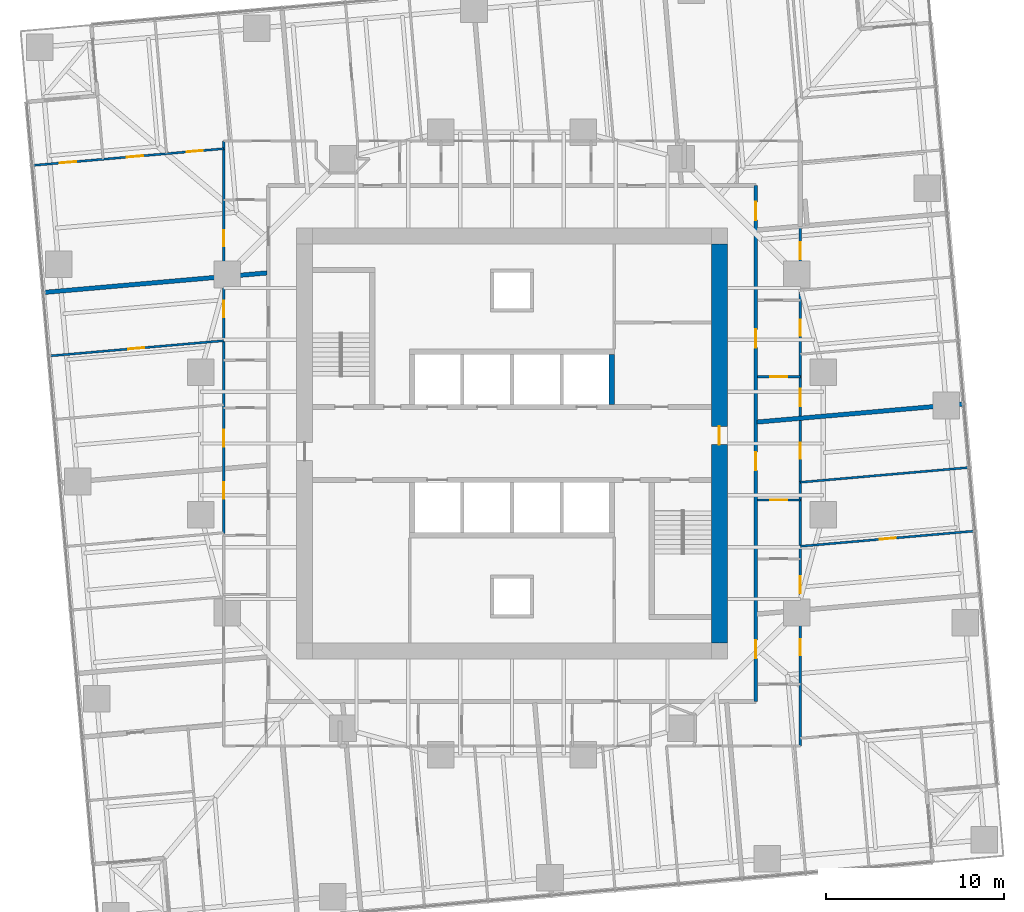
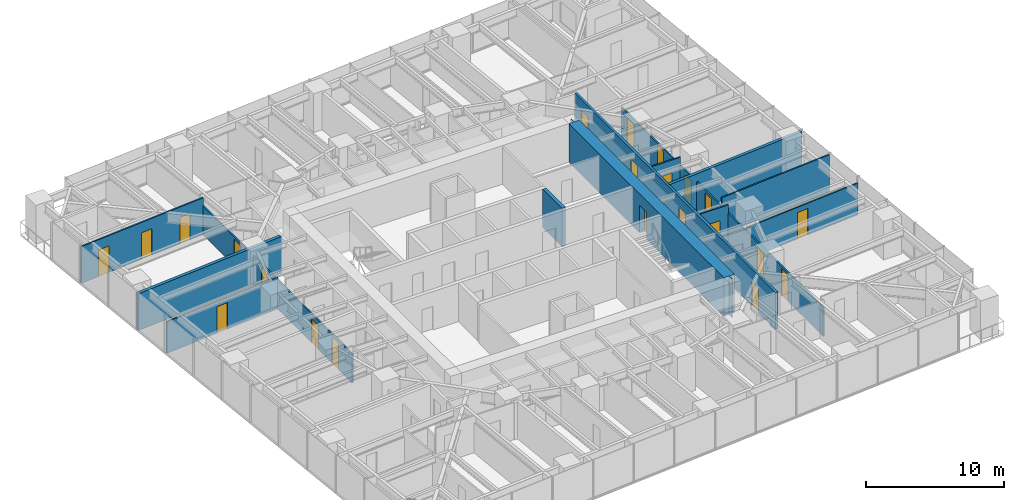
# One storey, part 11 of 14: 22 doors, 13 walls, 22 openings.
"""IFC4 building model written with IfcOpenShell, lengths in metres."""

from ifc_helpers import new_model, si_unit, direction, frame, frame_2d, origin, place, context, subcontext, project, spatial, polyline, rectangle, outline, extrude, material, layer, layer_set, type_object, element, fill, save


model = new_model("IFC4")

# Units and contexts
model_context = context("Model", 3, precision=1e-05, world=origin(), true_north=direction((0.0, 1.0)))
body_context = subcontext(model_context, "Body", "Model", "MODEL_VIEW")
ifc_project = project(units=[si_unit("LENGTHUNIT", "METRE"), si_unit("AREAUNIT", "SQUARE_METRE"), si_unit("VOLUMEUNIT", "CUBIC_METRE"), si_unit("PLANEANGLEUNIT", "RADIAN"), si_unit("MASSUNIT", "GRAM", prefix="KILO")], contexts=[model_context])

# Site, building, storey
site_placement = place(None, origin())
site = spatial("IfcSite", under=ifc_project, at=site_placement, CompositionType="ELEMENT")
building_placement = place(site_placement, origin())
building = spatial("IfcBuilding", under=site, at=building_placement, Name="Torsade Residences", CompositionType="ELEMENT")
storey_placement = place(building_placement, frame((0.0, 0.0, 57.39990234375)))
storey = spatial("IfcBuildingStorey", under=building, at=storey_placement, Name="L15", CompositionType="ELEMENT", Elevation=57.39990234375)

# Wall
ifc_material_1 = material(Name="Concrete 80 MPa", Category="concrete")
ifc_layer_1 = layer(ifc_material_1, 0.300048828125)
ifc_layer_set_1 = layer_set([ifc_layer_1], Name="Concrete 80 MPa")
wall_type_1 = type_object("IfcWallType", Name="CORE INTERNAL WALL 300", PredefinedType="SHEAR", material=ifc_layer_set_1)
wall_1_placement = place(storey_placement, frame((45.60009765625, 32.199951171875, 0.0), z_axis=(0.0, 0.0, 1.0), x_axis=(0.0, 1.0, 0.0)))
element("IfcWall", 1, at=wall_1_placement, inside=storey, type_object=wall_type_1, Name="Core wall DN4 L15", PredefinedType="SHEAR", context=body_context, shape_type="SweptSolid", body=[
    extrude(rectangle(XDim=2.800048828125, YDim=0.300048828125, at=frame_2d((1.39990234375, 0.0))), origin(), (0.0, 0.0, 1.0), 3.400146484375),
])

# Wall, opening, door
ifc_material_2 = material(Name="Concrete 80 MPa", Category="concrete")
ifc_layer_2 = layer(ifc_material_2, 0.89990234375)
ifc_layer_set_2 = layer_set([ifc_layer_2], Name="Concrete 80 MPa")
wall_type_2 = type_object("IfcWallType", Name="CORE WALL 900", PredefinedType="SHEAR", material=ifc_layer_set_2)
wall_2_placement = place(storey_placement, frame((51.64990234375, 18.800048828125, 0.0), z_axis=(0.0, 0.0, 1.0), x_axis=(0.0, 1.0, 0.0)))
wall_2 = element("IfcWall", 2, at=wall_2_placement, inside=storey, type_object=wall_type_2, Name="Core wall E L15", PredefinedType="SHEAR", context=body_context, shape_type="SweptSolid", body=[
    extrude(outline(polyline([(0.0, -0.449951171875), (22.39990234375, -0.449951171875), (22.39990234375, -0.02490234375), (22.849853515625, -0.02490234375), (22.849853515625, 0.02490234375), (22.39990234375, 0.02490234375), (22.39990234375, 0.449951171875), (0.0, 0.449951171875), (0.0, 0.02490234375), (-0.449951171875, 0.02490234375), (-0.449951171875, -0.02490234375), (0.0, -0.02490234375), (0.0, -0.449951171875)])), origin(), (0.0, 0.0, 1.0), 3.400146484375),
])
opening_1_placement = place(wall_2_placement, frame((11.139892578125, 0.0, 0.0)))
opening_1 = element("IfcOpeningElement", 3, at=opening_1_placement, cuts=wall_2, Name="Opening D04", PredefinedType="OPENING", context=body_context, shape_type="SweptSolid", body=[
    extrude(rectangle(XDim=1.02001953125, YDim=2.39990234375, at=frame_2d((0.510009765625, 1.199951171875))), frame((0.0, 0.4599609375, 0.0), z_axis=(0.0, -1.0, 0.0), x_axis=(1.0, 0.0, 0.0)), (0.0, 0.0, 1.0), 0.919921875),
])
ifc_material_3 = material(Name="Steel-framed fire door", Category="steel")
door_type_1 = type_object("IfcDoorType", Name="LOBBY SMOKE DOOR 1020x2400", OperationType="NOTDEFINED", PredefinedType="DOOR", material=ifc_material_3)
door_1_placement = place(opening_1_placement, origin())
door_1 = element("IfcDoor", 4, at=door_1_placement, inside=storey, type_object=door_type_1, Name="Lift lobby door E L15", OperationType="SINGLE_SWING_LEFT", OverallHeight=2.39990234375, OverallWidth=1.02001953125, PredefinedType="DOOR", context=body_context, shape_type="SweptSolid", body=[
    extrude(rectangle(XDim=1.02001953125, YDim=2.39990234375, at=frame_2d((0.510009765625, 1.199951171875))), frame((0.0, 0.02490234375, 0.0), z_axis=(0.0, -1.0, 0.0), x_axis=(1.0, 0.0, 0.0)), (0.0, 0.0, 1.0), 0.050048828125),
])
fill(opening_1, door_1)

# Wall, openings, doors
ifc_material_4 = material(Name="Plasterboard on steel stud", Category="steel")
ifc_layer_3 = layer(ifc_material_4, 0.199951171875)
ifc_layer_set_3 = layer_set([ifc_layer_3], Name="Plasterboard on steel stud")
wall_type_3 = type_object("IfcWallType", Name="CORRIDOR WALL 200", PredefinedType="PARTITIONING", material=ifc_layer_set_3)
wall_3_placement = place(storey_placement, frame((53.699951171875, 15.5, 0.0), z_axis=(0.0, 0.0, 1.0), x_axis=(0.0, 1.0, 0.0)))
wall_3 = element("IfcWall", 5, at=wall_3_placement, inside=storey, type_object=wall_type_3, Name="Corridor wall L15", PredefinedType="PARTITIONING", context=body_context, shape_type="SweptSolid", body=[
    extrude(rectangle(XDim=29.0, YDim=0.199951171875, at=frame_2d((14.5, 0.0))), origin(), (0.0, 0.0, 1.0), 3.25),
])
opening_2_placement = place(wall_3_placement, frame((12.996826171875, 0.0, 0.0)))
opening_2 = element("IfcOpeningElement", 6, at=opening_2_placement, cuts=wall_3, Name="Opening D01", PredefinedType="OPENING", context=body_context, shape_type="SweptSolid", body=[
    extrude(rectangle(XDim=1.02001953125, YDim=2.340087890625, at=frame_2d((0.510009765625, 1.169921875))), frame((0.0, 0.10986328125, 0.0), z_axis=(0.0, -1.0, 0.0), x_axis=(1.0, 0.0, 0.0)), (0.0, 0.0, 1.0), 0.219970703125),
])
opening_3_placement = place(wall_3_placement, frame((19.89111328125, 0.0, 0.0)))
opening_3 = element("IfcOpeningElement", 7, at=opening_3_placement, cuts=wall_3, Name="Opening D01", PredefinedType="OPENING", context=body_context, shape_type="SweptSolid", body=[
    extrude(rectangle(XDim=1.02001953125, YDim=2.340087890625, at=frame_2d((0.510009765625, 1.169921875))), frame((0.0, 0.10986328125, 0.0), z_axis=(0.0, -1.0, 0.0), x_axis=(1.0, 0.0, 0.0)), (0.0, 0.0, 1.0), 0.219970703125),
])
opening_4_placement = place(wall_3_placement, frame((2.4248046875, 0.0, 0.0)))
opening_4 = element("IfcOpeningElement", 8, at=opening_4_placement, cuts=wall_3, Name="Opening D01L", PredefinedType="OPENING", context=body_context, shape_type="SweptSolid", body=[
    extrude(rectangle(XDim=1.02001953125, YDim=2.10009765625, at=frame_2d((0.510009765625, 1.050048828125))), frame((0.0, 0.10986328125, 0.0), z_axis=(0.0, -1.0, 0.0), x_axis=(1.0, 0.0, 0.0)), (0.0, 0.0, 1.0), 0.219970703125),
])
opening_5_placement = place(wall_3_placement, frame((27.054931640625, 0.0, 0.0)))
opening_5 = element("IfcOpeningElement", 9, at=opening_5_placement, cuts=wall_3, Name="Opening D01", PredefinedType="OPENING", context=body_context, shape_type="SweptSolid", body=[
    extrude(rectangle(XDim=1.02001953125, YDim=2.340087890625, at=frame_2d((0.510009765625, 1.169921875))), frame((0.0, 0.10986328125, 0.0), z_axis=(0.0, -1.0, 0.0), x_axis=(1.0, 0.0, 0.0)), (0.0, 0.0, 1.0), 0.219970703125),
])
ifc_material_5 = material(Name="Solid-core timber fire door", Category="wood")
door_type_2 = type_object("IfcDoorType", Name="APARTMENT ENTRY DOOR 1020x2100", OperationType="NOTDEFINED", PredefinedType="DOOR", material=ifc_material_5)
door_2_placement = place(opening_4_placement, origin())
door_2 = element("IfcDoor", 10, at=door_2_placement, inside=storey, type_object=door_type_2, Name="Door Residential corridor to Kitchen and dining", OperationType="SINGLE_SWING_LEFT", OverallHeight=2.10009765625, OverallWidth=1.02001953125, PredefinedType="DOOR", context=body_context, shape_type="SweptSolid", body=[
    extrude(rectangle(XDim=1.02001953125, YDim=2.10009765625, at=frame_2d((0.510009765625, 1.050048828125))), frame((0.0, 0.02490234375, 0.0), z_axis=(0.0, -1.0, 0.0), x_axis=(1.0, 0.0, 0.0)), (0.0, 0.0, 1.0), 0.050048828125),
])
fill(opening_4, door_2)
ifc_material_6 = material(Name="Solid-core timber fire door", Category="wood")
door_type_3 = type_object("IfcDoorType", Name="APARTMENT ENTRY DOOR 1020x2340", OperationType="NOTDEFINED", PredefinedType="DOOR", material=ifc_material_6)
door_3_placement = place(opening_2_placement, origin())
door_3 = element("IfcDoor", 11, at=door_3_placement, inside=storey, type_object=door_type_3, Name="Door Residential corridor to Kitchen and dining", OperationType="SINGLE_SWING_LEFT", OverallHeight=2.340087890625, OverallWidth=1.02001953125, PredefinedType="DOOR", context=body_context, shape_type="SweptSolid", body=[
    extrude(rectangle(XDim=1.02001953125, YDim=2.340087890625, at=frame_2d((0.510009765625, 1.169921875))), frame((0.0, 0.02490234375, 0.0), z_axis=(0.0, -1.0, 0.0), x_axis=(1.0, 0.0, 0.0)), (0.0, 0.0, 1.0), 0.050048828125),
])
fill(opening_2, door_3)
door_4_placement = place(opening_3_placement, origin())
door_4 = element("IfcDoor", 12, at=door_4_placement, inside=storey, type_object=door_type_3, Name="Door Residential corridor to Kitchen and dining", OperationType="SINGLE_SWING_RIGHT", OverallHeight=2.340087890625, OverallWidth=1.02001953125, PredefinedType="DOOR", context=body_context, shape_type="SweptSolid", body=[
    extrude(rectangle(XDim=1.02001953125, YDim=2.340087890625, at=frame_2d((0.510009765625, 1.169921875))), frame((0.0, 0.02490234375, 0.0), z_axis=(0.0, -1.0, 0.0), x_axis=(1.0, 0.0, 0.0)), (0.0, 0.0, 1.0), 0.050048828125),
])
fill(opening_3, door_4)
door_5_placement = place(opening_5_placement, origin())
door_5 = element("IfcDoor", 13, at=door_5_placement, inside=storey, type_object=door_type_3, Name="Door Residential corridor to Kitchen and dining", OperationType="SINGLE_SWING_RIGHT", OverallHeight=2.340087890625, OverallWidth=1.02001953125, PredefinedType="DOOR", context=body_context, shape_type="SweptSolid", body=[
    extrude(rectangle(XDim=1.02001953125, YDim=2.340087890625, at=frame_2d((0.510009765625, 1.169921875))), frame((0.0, 0.02490234375, 0.0), z_axis=(0.0, -1.0, 0.0), x_axis=(1.0, 0.0, 0.0)), (0.0, 0.0, 1.0), 0.050048828125),
])
fill(opening_5, door_5)

ifc_material_7 = material(Name="Plasterboard on steel stud", Category="steel")
ifc_layer_4 = layer(ifc_material_7, 0.1201171875)
ifc_layer_set_4 = layer_set([ifc_layer_4], Name="Plasterboard on steel stud")
wall_type_4 = type_object("IfcWallType", Name="PARTITION 120", PredefinedType="PARTITIONING", material=ifc_layer_set_4)
wall_4_placement = place(storey_placement, frame((23.800048828125, 24.935546875, 0.0), z_axis=(0.0, 0.0, 1.0), x_axis=(0.0, 1.0, 0.0)))
wall_4 = element("IfcWall", 14, at=wall_4_placement, inside=storey, type_object=wall_type_4, Name="Partition L15", PredefinedType="PARTITIONING", context=body_context, shape_type="SweptSolid", body=[
    extrude(rectangle(XDim=22.064453125, YDim=0.1201171875, at=frame_2d((11.0322265625, 0.0))), origin(), (0.0, 0.0, 1.0), 2.549072265625),
])
opening_6_placement = place(wall_4_placement, frame((12.154541015625, 0.0, 0.0)))
opening_6 = element("IfcOpeningElement", 15, at=opening_6_placement, cuts=wall_4, Name="Opening D02", PredefinedType="OPENING", context=body_context, shape_type="SweptSolid", body=[
    extrude(rectangle(XDim=0.919921875, YDim=2.340087890625, at=frame_2d((0.4599609375, 1.169921875))), frame((0.0, 0.070068359375, 0.0), z_axis=(0.0, -1.0, 0.0), x_axis=(1.0, 0.0, 0.0)), (0.0, 0.0, 1.0), 0.14013671875),
])
opening_7_placement = place(wall_4_placement, frame((16.13623046875, 0.0, 0.0)))
opening_7 = element("IfcOpeningElement", 16, at=opening_7_placement, cuts=wall_4, Name="Opening D02", PredefinedType="OPENING", context=body_context, shape_type="SweptSolid", body=[
    extrude(rectangle(XDim=0.919921875, YDim=2.340087890625, at=frame_2d((0.4599609375, 1.169921875))), frame((0.0, 0.070068359375, 0.0), z_axis=(0.0, -1.0, 0.0), x_axis=(1.0, 0.0, 0.0)), (0.0, 0.0, 1.0), 0.14013671875),
])
opening_8_placement = place(wall_4_placement, frame((1.963623046875, 0.0, 0.0)))
opening_8 = element("IfcOpeningElement", 17, at=opening_8_placement, cuts=wall_4, Name="Opening D02", PredefinedType="OPENING", context=body_context, shape_type="SweptSolid", body=[
    extrude(rectangle(XDim=0.919921875, YDim=2.340087890625, at=frame_2d((0.4599609375, 1.169921875))), frame((0.0, 0.070068359375, 0.0), z_axis=(0.0, -1.0, 0.0), x_axis=(1.0, 0.0, 0.0)), (0.0, 0.0, 1.0), 0.14013671875),
])
opening_9_placement = place(wall_4_placement, frame((4.87744140625, 0.0, 0.0)))
opening_9 = element("IfcOpeningElement", 18, at=opening_9_placement, cuts=wall_4, Name="Opening D05", PredefinedType="OPENING", context=body_context, shape_type="SweptSolid", body=[
    extrude(rectangle(XDim=0.9599609375, YDim=2.10009765625, at=frame_2d((0.47998046875, 1.050048828125))), frame((0.0, 0.070068359375, 0.0), z_axis=(0.0, -1.0, 0.0), x_axis=(1.0, 0.0, 0.0)), (0.0, 0.0, 1.0), 0.14013671875),
])
ifc_material_8 = material(Name="Hollow-core timber door in a steel cavity frame", Category="steel")
door_type_4 = type_object("IfcDoorType", Name="BATHROOM CAVITY SLIDING DOOR 960", OperationType="SLIDING_TO_LEFT", PredefinedType="DOOR", material=ifc_material_8)
door_6_placement = place(opening_9_placement, origin())
door_6 = element("IfcDoor", 19, at=door_6_placement, inside=storey, type_object=door_type_4, Name="Door Bathroom to Bedroom 2", OperationType="SLIDING_TO_LEFT", OverallHeight=2.10009765625, OverallWidth=0.9599609375, PredefinedType="DOOR", context=body_context, shape_type="SweptSolid", body=[
    extrude(rectangle(XDim=0.9599609375, YDim=2.10009765625, at=frame_2d((0.47998046875, 1.050048828125))), frame((0.0, 0.02490234375, 0.0), z_axis=(0.0, -1.0, 0.0), x_axis=(1.0, 0.0, 0.0)), (0.0, 0.0, 1.0), 0.050048828125),
])
fill(opening_9, door_6)
ifc_material_9 = material(Name="Hollow-core timber door", Category="wood")
door_type_5 = type_object("IfcDoorType", Name="INTERNAL DOOR 920x2340", OperationType="NOTDEFINED", PredefinedType="DOOR", material=ifc_material_9)
door_7_placement = place(opening_6_placement, origin())
door_7 = element("IfcDoor", 20, at=door_7_placement, inside=storey, type_object=door_type_5, Name="Door Kitchen and dining to Living room", OperationType="SINGLE_SWING_RIGHT", OverallHeight=2.340087890625, OverallWidth=0.919921875, PredefinedType="DOOR", context=body_context, shape_type="SweptSolid", body=[
    extrude(rectangle(XDim=0.919921875, YDim=2.340087890625, at=frame_2d((0.4599609375, 1.169921875))), frame((0.0, 0.02490234375, 0.0), z_axis=(0.0, -1.0, 0.0), x_axis=(1.0, 0.0, 0.0)), (0.0, 0.0, 1.0), 0.050048828125),
])
fill(opening_6, door_7)
door_8_placement = place(opening_7_placement, origin())
door_8 = element("IfcDoor", 21, at=door_8_placement, inside=storey, type_object=door_type_5, Name="Door Kitchen and dining to Living room", OperationType="SINGLE_SWING_LEFT", OverallHeight=2.340087890625, OverallWidth=0.919921875, PredefinedType="DOOR", context=body_context, shape_type="SweptSolid", body=[
    extrude(rectangle(XDim=0.919921875, YDim=2.340087890625, at=frame_2d((0.4599609375, 1.169921875))), frame((0.0, 0.02490234375, 0.0), z_axis=(0.0, -1.0, 0.0), x_axis=(1.0, 0.0, 0.0)), (0.0, 0.0, 1.0), 0.050048828125),
])
fill(opening_7, door_8)
door_9_placement = place(opening_8_placement, origin())
door_9 = element("IfcDoor", 22, at=door_9_placement, inside=storey, type_object=door_type_5, Name="Door Kitchen and dining to Living room", OperationType="SINGLE_SWING_RIGHT", OverallHeight=2.340087890625, OverallWidth=0.919921875, PredefinedType="DOOR", context=body_context, shape_type="SweptSolid", body=[
    extrude(rectangle(XDim=0.919921875, YDim=2.340087890625, at=frame_2d((0.4599609375, 1.169921875))), frame((0.0, 0.02490234375, 0.0), z_axis=(0.0, -1.0, 0.0), x_axis=(1.0, 0.0, 0.0)), (0.0, 0.0, 1.0), 0.050048828125),
])
fill(opening_8, door_9)

wall_5_placement = place(storey_placement, frame((56.199951171875, 42.20849609375, 0.0), z_axis=(0.0, 0.0, 1.0), x_axis=(0.0, -1.0, 0.0)))
wall_5 = element("IfcWall", 23, at=wall_5_placement, inside=storey, type_object=wall_type_4, Name="Partition L15", PredefinedType="PARTITIONING", context=body_context, shape_type="SweptSolid", body=[
    extrude(rectangle(XDim=29.20849609375, YDim=0.1201171875, at=frame_2d((14.604248046875, 0.0))), origin(), (0.0, 0.0, 1.0), 2.549072265625),
])
opening_10_placement = place(wall_5_placement, frame((12.154541015625, 0.0, 0.0)))
opening_10 = element("IfcOpeningElement", 24, at=opening_10_placement, cuts=wall_5, Name="Opening D02", PredefinedType="OPENING", context=body_context, shape_type="SweptSolid", body=[
    extrude(rectangle(XDim=0.919921875, YDim=2.340087890625, at=frame_2d((0.4599609375, 1.169921875))), frame((0.0, 0.070068359375, 0.0), z_axis=(0.0, -1.0, 0.0), x_axis=(1.0, 0.0, 0.0)), (0.0, 0.0, 1.0), 0.14013671875),
])
opening_11_placement = place(wall_5_placement, frame((5.2412109375, 0.0, 0.0)))
opening_11 = element("IfcOpeningElement", 25, at=opening_11_placement, cuts=wall_5, Name="Opening D02", PredefinedType="OPENING", context=body_context, shape_type="SweptSolid", body=[
    extrude(rectangle(XDim=0.919921875, YDim=2.340087890625, at=frame_2d((0.4599609375, 1.169921875))), frame((0.0, 0.070068359375, 0.0), z_axis=(0.0, -1.0, 0.0), x_axis=(1.0, 0.0, 0.0)), (0.0, 0.0, 1.0), 0.14013671875),
])
opening_12_placement = place(wall_5_placement, frame((23.2001953125, 0.0, 0.0)))
opening_12 = element("IfcOpeningElement", 26, at=opening_12_placement, cuts=wall_5, Name="Opening D02", PredefinedType="OPENING", context=body_context, shape_type="SweptSolid", body=[
    extrude(rectangle(XDim=0.919921875, YDim=2.340087890625, at=frame_2d((0.4599609375, 1.169921875))), frame((0.0, 0.070068359375, 0.0), z_axis=(0.0, -1.0, 0.0), x_axis=(1.0, 0.0, 0.0)), (0.0, 0.0, 1.0), 0.14013671875),
])
opening_13_placement = place(wall_5_placement, frame((0.8935546875, 0.0, 0.0)))
opening_13 = element("IfcOpeningElement", 27, at=opening_13_placement, cuts=wall_5, Name="Opening D05", PredefinedType="OPENING", context=body_context, shape_type="SweptSolid", body=[
    extrude(rectangle(XDim=0.9599609375, YDim=2.10009765625, at=frame_2d((0.47998046875, 1.050048828125))), frame((0.0, 0.070068359375, 0.0), z_axis=(0.0, -1.0, 0.0), x_axis=(1.0, 0.0, 0.0)), (0.0, 0.0, 1.0), 0.14013671875),
])
opening_14_placement = place(wall_5_placement, frame((9.1435546875, 0.0, 0.0)))
opening_14 = element("IfcOpeningElement", 28, at=opening_14_placement, cuts=wall_5, Name="Opening D05", PredefinedType="OPENING", context=body_context, shape_type="SweptSolid", body=[
    extrude(rectangle(XDim=0.9599609375, YDim=2.10009765625, at=frame_2d((0.47998046875, 1.050048828125))), frame((0.0, 0.070068359375, 0.0), z_axis=(0.0, -1.0, 0.0), x_axis=(1.0, 0.0, 0.0)), (0.0, 0.0, 1.0), 0.14013671875),
])
opening_15_placement = place(wall_5_placement, frame((19.655517578125, 0.0, 0.0)))
opening_15 = element("IfcOpeningElement", 29, at=opening_15_placement, cuts=wall_5, Name="Opening D05", PredefinedType="OPENING", context=body_context, shape_type="SweptSolid", body=[
    extrude(rectangle(XDim=0.9599609375, YDim=2.10009765625, at=frame_2d((0.47998046875, 1.050048828125))), frame((0.0, 0.070068359375, 0.0), z_axis=(0.0, -1.0, 0.0), x_axis=(1.0, 0.0, 0.0)), (0.0, 0.0, 1.0), 0.14013671875),
])
door_10_placement = place(opening_13_placement, origin())
door_10 = element("IfcDoor", 30, at=door_10_placement, inside=storey, type_object=door_type_4, Name="Door Bathroom to Bedroom 2", OperationType="SLIDING_TO_LEFT", OverallHeight=2.10009765625, OverallWidth=0.9599609375, PredefinedType="DOOR", context=body_context, shape_type="SweptSolid", body=[
    extrude(rectangle(XDim=0.9599609375, YDim=2.10009765625, at=frame_2d((0.47998046875, 1.050048828125))), frame((0.0, 0.02490234375, 0.0), z_axis=(0.0, -1.0, 0.0), x_axis=(1.0, 0.0, 0.0)), (0.0, 0.0, 1.0), 0.050048828125),
])
fill(opening_13, door_10)
door_11_placement = place(opening_14_placement, origin())
door_11 = element("IfcDoor", 31, at=door_11_placement, inside=storey, type_object=door_type_4, Name="Door Ensuite to Living room", OperationType="SLIDING_TO_LEFT", OverallHeight=2.10009765625, OverallWidth=0.9599609375, PredefinedType="DOOR", context=body_context, shape_type="SweptSolid", body=[
    extrude(rectangle(XDim=0.9599609375, YDim=2.10009765625, at=frame_2d((0.47998046875, 1.050048828125))), frame((0.0, 0.02490234375, 0.0), z_axis=(0.0, -1.0, 0.0), x_axis=(1.0, 0.0, 0.0)), (0.0, 0.0, 1.0), 0.050048828125),
])
fill(opening_14, door_11)
door_12_placement = place(opening_15_placement, origin())
door_12 = element("IfcDoor", 32, at=door_12_placement, inside=storey, type_object=door_type_4, Name="Door Ensuite to Living room", OperationType="SLIDING_TO_LEFT", OverallHeight=2.10009765625, OverallWidth=0.9599609375, PredefinedType="DOOR", context=body_context, shape_type="SweptSolid", body=[
    extrude(rectangle(XDim=0.9599609375, YDim=2.10009765625, at=frame_2d((0.47998046875, 1.050048828125))), frame((0.0, 0.02490234375, 0.0), z_axis=(0.0, -1.0, 0.0), x_axis=(1.0, 0.0, 0.0)), (0.0, 0.0, 1.0), 0.050048828125),
])
fill(opening_15, door_12)
door_13_placement = place(opening_10_placement, origin())
door_13 = element("IfcDoor", 33, at=door_13_placement, inside=storey, type_object=door_type_5, Name="Door Kitchen and dining to Bedroom 2", OperationType="SINGLE_SWING_LEFT", OverallHeight=2.340087890625, OverallWidth=0.919921875, PredefinedType="DOOR", context=body_context, shape_type="SweptSolid", body=[
    extrude(rectangle(XDim=0.919921875, YDim=2.340087890625, at=frame_2d((0.4599609375, 1.169921875))), frame((0.0, 0.02490234375, 0.0), z_axis=(0.0, -1.0, 0.0), x_axis=(1.0, 0.0, 0.0)), (0.0, 0.0, 1.0), 0.050048828125),
])
fill(opening_10, door_13)
door_14_placement = place(opening_11_placement, origin())
door_14 = element("IfcDoor", 34, at=door_14_placement, inside=storey, type_object=door_type_5, Name="Door Kitchen and dining to Bedroom 1", OperationType="SINGLE_SWING_RIGHT", OverallHeight=2.340087890625, OverallWidth=0.919921875, PredefinedType="DOOR", context=body_context, shape_type="SweptSolid", body=[
    extrude(rectangle(XDim=0.919921875, YDim=2.340087890625, at=frame_2d((0.4599609375, 1.169921875))), frame((0.0, 0.02490234375, 0.0), z_axis=(0.0, -1.0, 0.0), x_axis=(1.0, 0.0, 0.0)), (0.0, 0.0, 1.0), 0.050048828125),
])
fill(opening_11, door_14)
door_15_placement = place(opening_12_placement, origin())
door_15 = element("IfcDoor", 35, at=door_15_placement, inside=storey, type_object=door_type_5, Name="Door Kitchen and dining to Living room", OperationType="SINGLE_SWING_LEFT", OverallHeight=2.340087890625, OverallWidth=0.919921875, PredefinedType="DOOR", context=body_context, shape_type="SweptSolid", body=[
    extrude(rectangle(XDim=0.919921875, YDim=2.340087890625, at=frame_2d((0.4599609375, 1.169921875))), frame((0.0, 0.02490234375, 0.0), z_axis=(0.0, -1.0, 0.0), x_axis=(1.0, 0.0, 0.0)), (0.0, 0.0, 1.0), 0.050048828125),
])
fill(opening_12, door_15)

# Wall, opening, door
wall_6_placement = place(storey_placement, frame((56.199951171875, 26.822998046875, 0.0), z_axis=(0.0, 0.0, 1.0), x_axis=(-1.0, 0.0, 0.0)))
wall_6 = element("IfcWall", 36, at=wall_6_placement, inside=storey, type_object=wall_type_4, Name="Partition L15", PredefinedType="PARTITIONING", context=body_context, shape_type="SweptSolid", body=[
    extrude(rectangle(XDim=2.39990234375, YDim=0.1201171875, at=frame_2d((1.199951171875, 0.0))), origin(), (0.0, 0.0, 1.0), 3.25),
])
opening_16_placement = place(wall_6_placement, frame((0.719970703125, 0.0, 0.0)))
opening_16 = element("IfcOpeningElement", 37, at=opening_16_placement, cuts=wall_6, Name="Opening D05", PredefinedType="OPENING", context=body_context, shape_type="SweptSolid", body=[
    extrude(rectangle(XDim=0.9599609375, YDim=2.10009765625, at=frame_2d((0.47998046875, 1.050048828125))), frame((0.0, 0.070068359375, 0.0), z_axis=(0.0, -1.0, 0.0), x_axis=(1.0, 0.0, 0.0)), (0.0, 0.0, 1.0), 0.14013671875),
])
door_16_placement = place(opening_16_placement, origin())
door_16 = element("IfcDoor", 38, at=door_16_placement, inside=storey, type_object=door_type_4, Name="Door Kitchen and dining to Bathroom", OperationType="SLIDING_TO_LEFT", OverallHeight=2.10009765625, OverallWidth=0.9599609375, PredefinedType="DOOR", context=body_context, shape_type="SweptSolid", body=[
    extrude(rectangle(XDim=0.9599609375, YDim=2.10009765625, at=frame_2d((0.47998046875, 1.050048828125))), frame((0.0, 0.02490234375, 0.0), z_axis=(0.0, -1.0, 0.0), x_axis=(1.0, 0.0, 0.0)), (0.0, 0.0, 1.0), 0.050048828125),
])
fill(opening_16, door_16)

wall_7_placement = place(storey_placement, frame((56.199951171875, 24.223388671875, 0.0), z_axis=(0.0, 0.0, 1.0), x_axis=(0.996195794011, 0.087143215425, 0.0)))
wall_7 = element("IfcWall", 39, at=wall_7_placement, inside=storey, type_object=wall_type_4, Name="Partition L15", PredefinedType="PARTITIONING", context=body_context, shape_type="SweptSolid", body=[
    extrude(rectangle(XDim=9.8251953125, YDim=0.1201171875, at=frame_2d((4.91259765625, 0.0))), origin(), (0.0, 0.0, 1.0), 2.796142578125),
])
opening_17_placement = place(wall_7_placement, frame((4.47265625, 0.0, 0.0)))
opening_17 = element("IfcOpeningElement", 40, at=opening_17_placement, cuts=wall_7, Name="Opening D02", PredefinedType="OPENING", context=body_context, shape_type="SweptSolid", body=[
    extrude(rectangle(XDim=0.919921875, YDim=2.340087890625, at=frame_2d((0.4599609375, 1.169921875))), frame((0.0, 0.070068359375, 0.0), z_axis=(0.0, -1.0, 0.0), x_axis=(1.0, 0.0, 0.0)), (0.0, 0.0, 1.0), 0.14013671875),
])
door_17_placement = place(opening_17_placement, origin())
door_17 = element("IfcDoor", 41, at=door_17_placement, inside=storey, type_object=door_type_5, Name="Door Living room to Bedroom 1", OperationType="SINGLE_SWING_RIGHT", OverallHeight=2.340087890625, OverallWidth=0.919921875, PredefinedType="DOOR", context=body_context, shape_type="SweptSolid", body=[
    extrude(rectangle(XDim=0.919921875, YDim=2.340087890625, at=frame_2d((0.4599609375, 1.169921875))), frame((0.0, 0.02490234375, 0.0), z_axis=(0.0, -1.0, 0.0), x_axis=(1.0, 0.0, 0.0)), (0.0, 0.0, 1.0), 0.050048828125),
])
fill(opening_17, door_17)

# Wall
wall_8_placement = place(storey_placement, frame((56.199951171875, 27.8203125, 0.0), z_axis=(0.0, 0.0, 1.0), x_axis=(0.996193828936, 0.087165676674, 0.0)))
element("IfcWall", 42, at=wall_8_placement, inside=storey, type_object=wall_type_4, Name="Partition L15", PredefinedType="PARTITIONING", context=body_context, shape_type="SweptSolid", body=[
    extrude(rectangle(XDim=9.51171875, YDim=0.1201171875, at=frame_2d((4.755859375, 0.0))), origin(), (0.0, 0.0, 1.0), 3.25),
])

# Wall, opening, door
wall_9_placement = place(storey_placement, frame((56.199951171875, 33.752197265625, 0.0), z_axis=(0.0, 0.0, 1.0), x_axis=(-1.0, 0.0, 0.0)))
wall_9 = element("IfcWall", 43, at=wall_9_placement, inside=storey, type_object=wall_type_4, Name="Partition L15", PredefinedType="PARTITIONING", context=body_context, shape_type="SweptSolid", body=[
    extrude(rectangle(XDim=2.39990234375, YDim=0.1201171875, at=frame_2d((1.199951171875, 0.0))), origin(), (0.0, 0.0, 1.0), 3.25),
])
opening_18_placement = place(wall_9_placement, frame((0.719970703125, 0.0, 0.0)))
opening_18 = element("IfcOpeningElement", 44, at=opening_18_placement, cuts=wall_9, Name="Opening D05", PredefinedType="OPENING", context=body_context, shape_type="SweptSolid", body=[
    extrude(rectangle(XDim=0.9599609375, YDim=2.10009765625, at=frame_2d((0.47998046875, 1.050048828125))), frame((0.0, 0.070068359375, 0.0), z_axis=(0.0, -1.0, 0.0), x_axis=(1.0, 0.0, 0.0)), (0.0, 0.0, 1.0), 0.14013671875),
])
door_18_placement = place(opening_18_placement, origin())
door_18 = element("IfcDoor", 45, at=door_18_placement, inside=storey, type_object=door_type_4, Name="Door Kitchen and dining to Ensuite", OperationType="SLIDING_TO_LEFT", OverallHeight=2.10009765625, OverallWidth=0.9599609375, PredefinedType="DOOR", context=body_context, shape_type="SweptSolid", body=[
    extrude(rectangle(XDim=0.9599609375, YDim=2.10009765625, at=frame_2d((0.47998046875, 1.050048828125))), frame((0.0, 0.02490234375, 0.0), z_axis=(0.0, -1.0, 0.0), x_axis=(1.0, 0.0, 0.0)), (0.0, 0.0, 1.0), 0.050048828125),
])
fill(opening_18, door_18)

# Wall, openings, doors
wall_10_placement = place(storey_placement, frame((13.075439453125, 45.62939453125, 0.0), z_axis=(0.0, 0.0, 1.0), x_axis=(0.996193126702, 0.087173701945, 0.0)))
wall_10 = element("IfcWall", 46, at=wall_10_placement, inside=storey, type_object=wall_type_4, Name="Partition L15", PredefinedType="PARTITIONING", context=body_context, shape_type="SweptSolid", body=[
    extrude(rectangle(XDim=10.765625, YDim=0.1201171875, at=frame_2d((5.3828125, 0.0))), origin(), (0.0, 0.0, 1.0), 3.25),
])
opening_19_placement = place(wall_10_placement, frame((1.525146484375, 0.0, 0.0)))
opening_19 = element("IfcOpeningElement", 47, at=opening_19_placement, cuts=wall_10, Name="Opening D02", PredefinedType="OPENING", context=body_context, shape_type="SweptSolid", body=[
    extrude(rectangle(XDim=0.919921875, YDim=2.340087890625, at=frame_2d((0.4599609375, 1.169921875))), frame((0.0, 0.070068359375, 0.0), z_axis=(0.0, -1.0, 0.0), x_axis=(1.0, 0.0, 0.0)), (0.0, 0.0, 1.0), 0.14013671875),
])
opening_20_placement = place(wall_10_placement, frame((5.291748046875, 0.0, 0.0)))
opening_20 = element("IfcOpeningElement", 48, at=opening_20_placement, cuts=wall_10, Name="Opening D02", PredefinedType="OPENING", context=body_context, shape_type="SweptSolid", body=[
    extrude(rectangle(XDim=0.919921875, YDim=2.340087890625, at=frame_2d((0.4599609375, 1.169921875))), frame((0.0, 0.070068359375, 0.0), z_axis=(0.0, -1.0, 0.0), x_axis=(1.0, 0.0, 0.0)), (0.0, 0.0, 1.0), 0.14013671875),
])
opening_21_placement = place(wall_10_placement, frame((8.66943359375, 0.0, 0.0)))
opening_21 = element("IfcOpeningElement", 49, at=opening_21_placement, cuts=wall_10, Name="Opening D02", PredefinedType="OPENING", context=body_context, shape_type="SweptSolid", body=[
    extrude(rectangle(XDim=0.919921875, YDim=2.340087890625, at=frame_2d((0.4599609375, 1.169921875))), frame((0.0, 0.070068359375, 0.0), z_axis=(0.0, -1.0, 0.0), x_axis=(1.0, 0.0, 0.0)), (0.0, 0.0, 1.0), 0.14013671875),
])
door_19_placement = place(opening_19_placement, origin())
door_19 = element("IfcDoor", 50, at=door_19_placement, inside=storey, type_object=door_type_5, Name="Door Living room to Family room", OperationType="SINGLE_SWING_RIGHT", OverallHeight=2.340087890625, OverallWidth=0.919921875, PredefinedType="DOOR", context=body_context, shape_type="SweptSolid", body=[
    extrude(rectangle(XDim=0.919921875, YDim=2.340087890625, at=frame_2d((0.4599609375, 1.169921875))), frame((0.0, 0.02490234375, 0.0), z_axis=(0.0, -1.0, 0.0), x_axis=(1.0, 0.0, 0.0)), (0.0, 0.0, 1.0), 0.050048828125),
])
fill(opening_19, door_19)
door_20_placement = place(opening_20_placement, origin())
door_20 = element("IfcDoor", 51, at=door_20_placement, inside=storey, type_object=door_type_5, Name="Door Living room to Bedroom 1", OperationType="SINGLE_SWING_LEFT", OverallHeight=2.340087890625, OverallWidth=0.919921875, PredefinedType="DOOR", context=body_context, shape_type="SweptSolid", body=[
    extrude(rectangle(XDim=0.919921875, YDim=2.340087890625, at=frame_2d((0.4599609375, 1.169921875))), frame((0.0, 0.02490234375, 0.0), z_axis=(0.0, -1.0, 0.0), x_axis=(1.0, 0.0, 0.0)), (0.0, 0.0, 1.0), 0.050048828125),
])
fill(opening_20, door_20)
door_21_placement = place(opening_21_placement, origin())
door_21 = element("IfcDoor", 52, at=door_21_placement, inside=storey, type_object=door_type_5, Name="Door Living room to Bedroom 2", OperationType="SINGLE_SWING_LEFT", OverallHeight=2.340087890625, OverallWidth=0.919921875, PredefinedType="DOOR", context=body_context, shape_type="SweptSolid", body=[
    extrude(rectangle(XDim=0.919921875, YDim=2.340087890625, at=frame_2d((0.4599609375, 1.169921875))), frame((0.0, 0.02490234375, 0.0), z_axis=(0.0, -1.0, 0.0), x_axis=(1.0, 0.0, 0.0)), (0.0, 0.0, 1.0), 0.050048828125),
])
fill(opening_21, door_21)

# Wall, opening, door
wall_11_placement = place(storey_placement, frame((23.800048828125, 35.776611328125, 0.0), z_axis=(0.0, 0.0, 1.0), x_axis=(-0.996195794011, -0.087143215425, 0.0)))
wall_11 = element("IfcWall", 53, at=wall_11_placement, inside=storey, type_object=wall_type_4, Name="Partition L15", PredefinedType="PARTITIONING", context=body_context, shape_type="SweptSolid", body=[
    extrude(rectangle(XDim=9.8251953125, YDim=0.1201171875, at=frame_2d((4.91259765625, 0.0))), origin(), (0.0, 0.0, 1.0), 2.796142578125),
])
opening_22_placement = place(wall_11_placement, frame((4.47265625, 0.0, 0.0)))
opening_22 = element("IfcOpeningElement", 54, at=opening_22_placement, cuts=wall_11, Name="Opening D02", PredefinedType="OPENING", context=body_context, shape_type="SweptSolid", body=[
    extrude(rectangle(XDim=0.919921875, YDim=2.340087890625, at=frame_2d((0.4599609375, 1.169921875))), frame((0.0, 0.070068359375, 0.0), z_axis=(0.0, -1.0, 0.0), x_axis=(1.0, 0.0, 0.0)), (0.0, 0.0, 1.0), 0.14013671875),
])
door_22_placement = place(opening_22_placement, origin())
door_22 = element("IfcDoor", 55, at=door_22_placement, inside=storey, type_object=door_type_5, Name="Door Living room to Bedroom 1", OperationType="SINGLE_SWING_RIGHT", OverallHeight=2.340087890625, OverallWidth=0.919921875, PredefinedType="DOOR", context=body_context, shape_type="SweptSolid", body=[
    extrude(rectangle(XDim=0.919921875, YDim=2.340087890625, at=frame_2d((0.4599609375, 1.169921875))), frame((0.0, 0.02490234375, 0.0), z_axis=(0.0, -1.0, 0.0), x_axis=(1.0, 0.0, 0.0)), (0.0, 0.0, 1.0), 0.050048828125),
])
fill(opening_22, door_22)

# Walls
ifc_material_10 = material(Name="Masonry-lined stud party wall", Category="masonry")
ifc_layer_5 = layer(ifc_material_10, 0.25)
ifc_layer_set_5 = layer_set([ifc_layer_5], Name="Masonry-lined stud party wall")
wall_type_5 = type_object("IfcWallType", Name="PARTY WALL 250", PredefinedType="PARTITIONING", material=ifc_layer_set_5)
wall_12_placement = place(storey_placement, frame((13.66015625, 38.486572265625, 0.0), z_axis=(0.0, 0.0, 1.0), x_axis=(0.996194851608, 0.087153988028, 0.0)))
element("IfcWall", 56, at=wall_12_placement, inside=storey, type_object=wall_type_5, Name="Party wall L15", PredefinedType="PARTITIONING", context=body_context, shape_type="SweptSolid", body=[
    extrude(rectangle(XDim=12.616943359375, YDim=0.25, at=frame_2d((6.30859375, 0.0))), origin(), (0.0, 0.0, 1.0), 3.25),
])
wall_13_placement = place(storey_placement, frame((65.403076171875, 32.222412109375, 0.0), z_axis=(0.0, 0.0, 1.0), x_axis=(-0.996195419442, -0.087147497287, 0.0)))
element("IfcWall", 57, at=wall_13_placement, inside=storey, type_object=wall_type_5, Name="Party wall L15", PredefinedType="PARTITIONING", context=body_context, shape_type="SweptSolid", body=[
    extrude(rectangle(XDim=11.676513671875, YDim=0.25, at=frame_2d((5.83837890625, 0.0))), origin(), (0.0, 0.0, 1.0), 3.25),
])

save(model, "model.ifc")
